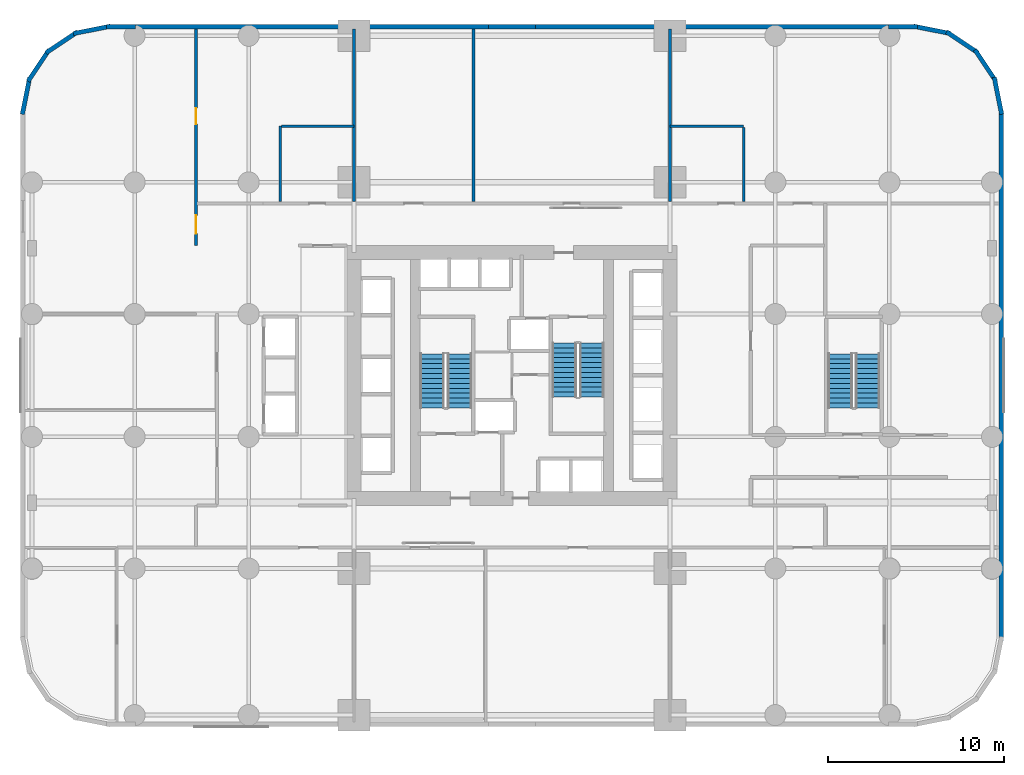
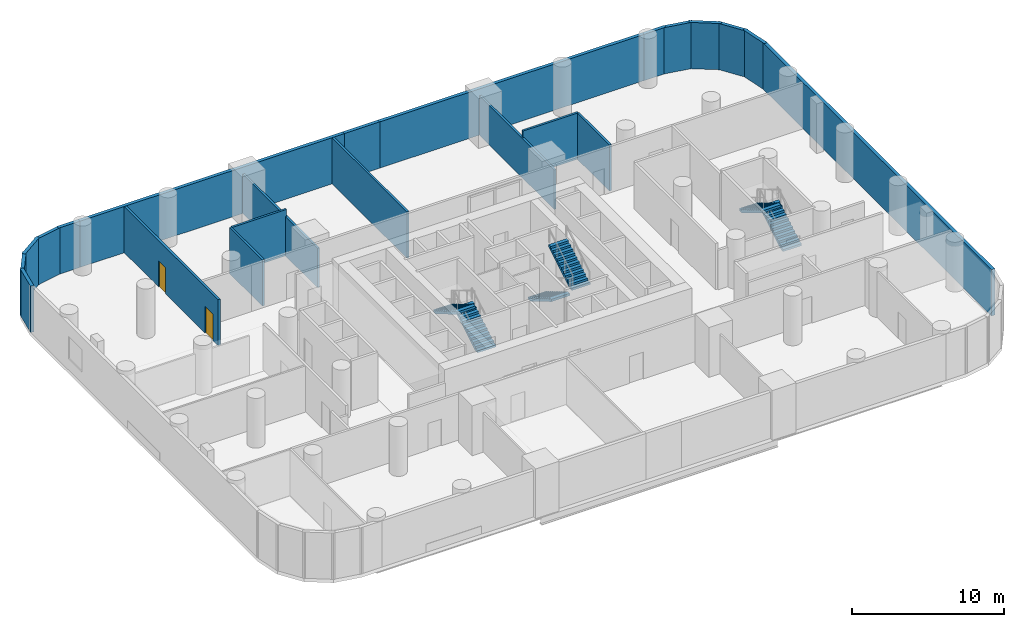
# One storey, part 9 of 12: 22 walls, 6 stair flights, 2 doors, 2 openings, 3 elements without a shape of their own.
"""IFC4 building model written with IfcOpenShell, lengths in metres."""

from ifc_helpers import new_model, si_unit, direction, frame, frame_2d, origin, place, context, subcontext, project, spatial, polyline, rectangle, outline, extrude, material, layer, layer_set, type_object, element, fill, aggregate, save


model = new_model("IFC4")

# Units and contexts
model_context = context("Model", 3, precision=1e-05, world=origin(), true_north=direction((0.0, 1.0)))
body_context = subcontext(model_context, "Body", "Model", "MODEL_VIEW")
ifc_project = project(units=[si_unit("LENGTHUNIT", "METRE"), si_unit("AREAUNIT", "SQUARE_METRE"), si_unit("VOLUMEUNIT", "CUBIC_METRE"), si_unit("PLANEANGLEUNIT", "RADIAN"), si_unit("MASSUNIT", "GRAM", prefix="KILO")], contexts=[model_context])

# Site, building, storey
site_placement = place(None, origin())
site = spatial("IfcSite", under=ifc_project, at=site_placement, CompositionType="ELEMENT")
building_placement = place(site_placement, origin())
building = spatial("IfcBuilding", under=site, at=building_placement, Name="Veldorim Arch Residences", CompositionType="ELEMENT")
storey_placement = place(building_placement, frame((0.0, 0.0, 12.0)))
storey = spatial("IfcBuildingStorey", under=building, at=storey_placement, Name="L03", CompositionType="ELEMENT", Elevation=12.0)

# Wall, openings, doors
ifc_material_1 = material(Name="Lightweight Masonry Block & Gypsum", Category="masonry")
ifc_layer_1 = layer(ifc_material_1, 0.179931640625, Name="Compartment & Corridor Fire-Rated Party Wall 180")
ifc_layer_set_1 = layer_set([ifc_layer_1], Name="Lightweight Masonry Block & Gypsum")
wall_type_1 = type_object("IfcWallType", Name="Compartment & Corridor Fire-Rated Party Wall 180", PredefinedType="PARTITIONING", material=ifc_layer_set_1)
wall_1_placement = place(storey_placement, frame((14.0, 31.39990234375, 0.0), z_axis=(0.0, 0.0, 1.0), x_axis=(0.0, 1.0, 0.0)))
wall_1 = element("IfcWall", 1, at=wall_1_placement, inside=storey, type_object=wall_type_1, Name="L03 interior wall WL-POD-L03-005", PredefinedType="PARTITIONING", context=body_context, shape_type="SweptSolid", body=[
    extrude(rectangle(XDim=12.35009765625, YDim=0.179931640625, at=frame_2d((6.175048828125, 0.0))), origin(), (0.0, 0.0, 1.0), 3.715087890625),
])
opening_1_placement = place(wall_1_placement, frame((0.675048828125, 0.0, 0.0)))
opening_1 = element("IfcOpeningElement", 2, at=opening_1_placement, cuts=wall_1, Name="Opening DR-CLN", PredefinedType="OPENING", context=body_context, shape_type="SweptSolid", body=[
    extrude(rectangle(XDim=1.050048828125, YDim=2.14990234375, at=frame_2d((0.52490234375, 1.074951171875))), frame((0.0, 0.099853515625, 0.0), z_axis=(0.0, -1.0, 0.0), x_axis=(1.0, 0.0, 0.0)), (0.0, 0.0, 1.0), 0.199951171875),
])
opening_2_placement = place(wall_1_placement, frame((6.925048828125, 0.0, 0.0)))
opening_2 = element("IfcOpeningElement", 3, at=opening_2_placement, cuts=wall_1, Name="Opening DR-SVC", PredefinedType="OPENING", context=body_context, shape_type="SweptSolid", body=[
    extrude(rectangle(XDim=0.89990234375, YDim=2.10009765625, at=frame_2d((0.449951171875, 1.050048828125))), frame((0.0, 0.099853515625, 0.0), z_axis=(0.0, -1.0, 0.0), x_axis=(1.0, 0.0, 0.0)), (0.0, 0.0, 1.0), 0.199951171875),
])
ifc_material_2 = material(Name="Timber & Vision Panel", Category="wood")
door_type_1 = type_object("IfcDoorType", Name="Polyclinic Wheelchair-Accessible Consultation Door 1050x2150", OperationType="SINGLE_SWING_LEFT", PredefinedType="DOOR", material=ifc_material_2)
door_1_placement = place(opening_1_placement, origin())
door_1 = element("IfcDoor", 4, at=door_1_placement, inside=storey, type_object=door_type_1, Name="L03 interior door DR-POD-L03-005", OperationType="SINGLE_SWING_LEFT", OverallHeight=2.14990234375, OverallWidth=1.050048828125, PredefinedType="DOOR", context=body_context, shape_type="SweptSolid", body=[
    extrude(rectangle(XDim=1.050048828125, YDim=2.14990234375, at=frame_2d((0.52490234375, 1.074951171875))), frame((0.0, 0.02490234375, 0.0), z_axis=(0.0, -1.0, 0.0), x_axis=(1.0, 0.0, 0.0)), (0.0, 0.0, 1.0), 0.050048828125),
])
fill(opening_1, door_1)
ifc_material_3 = material(Name="Fire-Rated Steel", Category="steel")
door_type_2 = type_object("IfcDoorType", Name="Riser, Shelter & Plant Room Rated Steel Door 900x2100", OperationType="SINGLE_SWING_LEFT", PredefinedType="DOOR", material=ifc_material_3)
door_2_placement = place(opening_2_placement, origin())
door_2 = element("IfcDoor", 5, at=door_2_placement, inside=storey, type_object=door_type_2, Name="L03 interior door DR-POD-L03-007", OperationType="SINGLE_SWING_LEFT", OverallHeight=2.10009765625, OverallWidth=0.89990234375, PredefinedType="DOOR", context=body_context, shape_type="SweptSolid", body=[
    extrude(rectangle(XDim=0.89990234375, YDim=2.10009765625, at=frame_2d((0.449951171875, 1.050048828125))), frame((0.0, 0.02490234375, 0.0), z_axis=(0.0, -1.0, 0.0), x_axis=(1.0, 0.0, 0.0)), (0.0, 0.0, 1.0), 0.050048828125),
])
fill(opening_2, door_2)

# Walls
ifc_material_4 = material(Name="Precast concrete C40/50", Category="concrete")
ifc_layer_2 = layer(ifc_material_4, 0.25, Name="Podium Terracotta Insulated Facade Wall 250")
ifc_layer_set_2 = layer_set([ifc_layer_2], Name="Precast concrete C40/50")
wall_type_2 = type_object("IfcWallType", Name="Podium Terracotta Insulated Facade Wall 250", PredefinedType="SOLIDWALL", material=ifc_layer_set_2)
wall_2_placement = place(storey_placement, frame((59.875, 39.10009765625, 0.0), z_axis=(0.0, 0.0, 1.0), x_axis=(0.0, -1.0, 0.0)))
element("IfcWall", 6, at=wall_2_placement, inside=storey, type_object=wall_type_2, Name="L03 podium terracotta facade wall 04", PredefinedType="SOLIDWALL", context=body_context, shape_type="SweptSolid", body=[
    extrude(rectangle(XDim=30.2001953125, YDim=0.25, at=frame_2d((15.10009765625, 0.0))), origin(), (0.0, 0.0, 1.0), 3.719970703125),
])
wall_3_placement = place(storey_placement, frame((59.477294921875, 40.987060546875, 0.0), z_axis=(0.0, 0.0, 1.0), x_axis=(0.195111965738, -0.980780974951, 0.0)))
element("IfcWall", 7, at=wall_3_placement, inside=storey, type_object=wall_type_2, Name="L03 podium terracotta facade wall 05", PredefinedType="SOLIDWALL", context=body_context, shape_type="SweptSolid", body=[
    extrude(rectangle(XDim=2.15087890625, YDim=0.25, at=frame_2d((1.075439453125, 0.0))), origin(), (0.0, 0.0, 1.0), 3.719970703125),
])
for number, where, z_axis, x_axis, name in (
    (8, (58.3759765625, 42.54931640625, 0.0), (0.0, 0.0, 1.0), (0.555564214653, -0.831473633615, 0.0), "L03 podium terracotta facade wall 06"),
    (9, (56.7607421875, 43.571044921875, 0.0), (0.0, 0.0, 1.0), (0.831473633615, -0.555564214653, 0.0), "L03 podium terracotta facade wall 07"),
):
    element("IfcWall", number, at=place(storey_placement, frame(where, z_axis=z_axis, x_axis=x_axis)), inside=storey, type_object=wall_type_2, Name=name, PredefinedType="SOLIDWALL", context=body_context, shape_type="SweptSolid", body=[
        extrude(rectangle(XDim=2.151123046875, YDim=0.25, at=frame_2d((1.07568359375, 0.0))), origin(), (0.0, 0.0, 1.0), 3.719970703125),
    ])
wall_4_placement = place(storey_placement, frame((54.87744140625, 43.89697265625, 0.0), z_axis=(0.0, 0.0, 1.0), x_axis=(0.980780974951, -0.195111965738, 0.0)))
element("IfcWall", 10, at=wall_4_placement, inside=storey, type_object=wall_type_2, Name="L03 podium terracotta facade wall 08", PredefinedType="SOLIDWALL", context=body_context, shape_type="SweptSolid", body=[
    extrude(rectangle(XDim=2.15087890625, YDim=0.25, at=frame_2d((1.075439453125, 0.0))), origin(), (0.0, 0.0, 1.0), 3.719970703125),
])
wall_5_placement = place(storey_placement, frame((8.89990234375, 43.875, 0.0), z_axis=(0.0, 0.0, 1.0), x_axis=(1.0, 0.0, 0.0)))
element("IfcWall", 11, at=wall_5_placement, inside=storey, type_object=wall_type_2, Name="L03 podium facade pier wall 09A", PredefinedType="SOLIDWALL", context=body_context, shape_type="SweptSolid", body=[
    extrude(rectangle(XDim=1.650146484375, YDim=0.25, at=frame_2d((0.8251953125, 0.0))), origin(), (0.0, 0.0, 1.0), 3.719970703125),
])
wall_6_placement = place(storey_placement, frame((30.64990234375, 43.875, 0.0), z_axis=(0.0, 0.0, 1.0), x_axis=(1.0, 0.0, 0.0)))
element("IfcWall", 12, at=wall_6_placement, inside=storey, type_object=wall_type_2, Name="L03 podium facade pier wall 09M", PredefinedType="SOLIDWALL", context=body_context, shape_type="SweptSolid", body=[
    extrude(rectangle(XDim=2.7001953125, YDim=0.25, at=frame_2d((1.35009765625, 0.0))), origin(), (0.0, 0.0, 1.0), 3.719970703125),
])
wall_7_placement = place(storey_placement, frame((53.449951171875, 43.875, 0.0), z_axis=(0.0, 0.0, 1.0), x_axis=(1.0, 0.0, 0.0)))
element("IfcWall", 13, at=wall_7_placement, inside=storey, type_object=wall_type_2, Name="L03 podium facade pier wall 09B", PredefinedType="SOLIDWALL", context=body_context, shape_type="SweptSolid", body=[
    extrude(rectangle(XDim=1.650146484375, YDim=0.25, at=frame_2d((0.8251953125, 0.0))), origin(), (0.0, 0.0, 1.0), 3.719970703125),
])
for number, where, z_axis, x_axis, name in (
    (14, (10.550048828125, 43.875, 0.0), (0.0, 0.0, 1.0), (1.0, 0.0, 0.0), "L03 podium facade wall 09C1"),
    (15, (33.35009765625, 43.875, 0.0), (0.0, 0.0, 1.0), (1.0, 0.0, 0.0), "L03 podium facade wall 09C2"),
):
    element("IfcWall", number, at=place(storey_placement, frame(where, z_axis=z_axis, x_axis=x_axis)), inside=storey, type_object=wall_type_2, Name=name, PredefinedType="SOLIDWALL", context=body_context, shape_type="SweptSolid", body=[
        extrude(rectangle(XDim=20.099853515625, YDim=0.25, at=frame_2d((10.0498046875, 0.0))), origin(), (0.0, 0.0, 1.0), 3.719970703125),
    ])
wall_8_placement = place(storey_placement, frame((7.012939453125, 43.477294921875, 0.0), z_axis=(0.0, 0.0, 1.0), x_axis=(0.980780974951, 0.195111965738, 0.0)))
element("IfcWall", 16, at=wall_8_placement, inside=storey, type_object=wall_type_2, Name="L03 podium terracotta facade wall 10", PredefinedType="SOLIDWALL", context=body_context, shape_type="SweptSolid", body=[
    extrude(rectangle(XDim=2.15087890625, YDim=0.25, at=frame_2d((1.075439453125, 0.0))), origin(), (0.0, 0.0, 1.0), 3.719970703125),
])
for number, where, z_axis, x_axis, name in (
    (17, (5.45068359375, 42.3759765625, 0.0), (0.0, 0.0, 1.0), (0.831473633615, 0.555564214653, 0.0), "L03 podium terracotta facade wall 11"),
    (18, (4.428955078125, 40.7607421875, 0.0), (0.0, 0.0, 1.0), (0.555564214653, 0.831473633615, 0.0), "L03 podium terracotta facade wall 12"),
):
    element("IfcWall", number, at=place(storey_placement, frame(where, z_axis=z_axis, x_axis=x_axis)), inside=storey, type_object=wall_type_2, Name=name, PredefinedType="SOLIDWALL", context=body_context, shape_type="SweptSolid", body=[
        extrude(rectangle(XDim=2.151123046875, YDim=0.25, at=frame_2d((1.07568359375, 0.0))), origin(), (0.0, 0.0, 1.0), 3.719970703125),
    ])
wall_9_placement = place(storey_placement, frame((4.10302734375, 38.87744140625, 0.0), z_axis=(0.0, 0.0, 1.0), x_axis=(0.195111965738, 0.980780974951, 0.0)))
element("IfcWall", 19, at=wall_9_placement, inside=storey, type_object=wall_type_2, Name="L03 podium terracotta facade wall 13", PredefinedType="SOLIDWALL", context=body_context, shape_type="SweptSolid", body=[
    extrude(rectangle(XDim=2.15087890625, YDim=0.25, at=frame_2d((1.075439453125, 0.0))), origin(), (0.0, 0.0, 1.0), 3.719970703125),
])
ifc_material_5 = material(Name="Moisture-Resistant Gypsum & Stud", Category="gypsum")
ifc_layer_3 = layer(ifc_material_5, 0.159912109375, Name="Wet-Area Moisture-Resistant Plumbing Wall 160")
ifc_layer_set_3 = layer_set([ifc_layer_3], Name="Moisture-Resistant Gypsum & Stud")
wall_type_3 = type_object("IfcWallType", Name="Wet-Area Moisture-Resistant Plumbing Wall 160", PredefinedType="PLUMBINGWALL", material=ifc_layer_set_3)
wall_10_placement = place(storey_placement, frame((18.800048828125, 33.89990234375, 0.0), z_axis=(0.0, 0.0, 1.0), x_axis=(0.0, 1.0, 0.0)))
element("IfcWall", 20, at=wall_10_placement, inside=storey, type_object=wall_type_3, Name="L03 interior wall WL-POD-L03-026", PredefinedType="PLUMBINGWALL", context=body_context, shape_type="SweptSolid", body=[
    extrude(rectangle(XDim=4.300048828125, YDim=0.159912109375, at=frame_2d((2.14990234375, 0.0))), origin(), (0.0, 0.0, 1.0), 3.715087890625),
])
wall_11_placement = place(storey_placement, frame((18.860107421875, 38.199951171875, 0.0), z_axis=(0.0, 0.0, 1.0), x_axis=(1.0, 0.0, 0.0)))
element("IfcWall", 21, at=wall_11_placement, inside=storey, type_object=wall_type_3, Name="L03 interior wall WL-POD-L03-027", PredefinedType="PLUMBINGWALL", context=body_context, shape_type="SweptSolid", body=[
    extrude(rectangle(XDim=4.139892578125, YDim=0.159912109375, at=frame_2d((2.06982421875, 0.0))), origin(), (0.0, 0.0, 1.0), 3.715087890625),
])
wall_12_placement = place(storey_placement, frame((23.0, 43.75, 0.0), z_axis=(0.0, 0.0, 1.0), x_axis=(0.0, -1.0, 0.0)))
element("IfcWall", 22, at=wall_12_placement, inside=storey, type_object=wall_type_3, Name="L03 interior wall WL-POD-L03-028", PredefinedType="PLUMBINGWALL", context=body_context, shape_type="SweptSolid", body=[
    extrude(rectangle(XDim=9.85009765625, YDim=0.159912109375, at=frame_2d((4.925048828125, 0.0))), origin(), (0.0, 0.0, 1.0), 3.17138671875),
])
wall_13_placement = place(storey_placement, frame((41.0, 38.199951171875, 0.0), z_axis=(0.0, 0.0, 1.0), x_axis=(1.0, 0.0, 0.0)))
element("IfcWall", 23, at=wall_13_placement, inside=storey, type_object=wall_type_3, Name="L03 interior wall WL-POD-L03-031", PredefinedType="PLUMBINGWALL", context=body_context, shape_type="SweptSolid", body=[
    extrude(rectangle(XDim=4.199951171875, YDim=0.159912109375, at=frame_2d((2.10009765625, 0.0))), origin(), (0.0, 0.0, 1.0), 3.715087890625),
])
wall_14_placement = place(storey_placement, frame((45.199951171875, 38.139892578125, 0.0), z_axis=(0.0, 0.0, 1.0), x_axis=(0.0, -1.0, 0.0)))
element("IfcWall", 24, at=wall_14_placement, inside=storey, type_object=wall_type_3, Name="L03 interior wall WL-POD-L03-032", PredefinedType="PLUMBINGWALL", context=body_context, shape_type="SweptSolid", body=[
    extrude(rectangle(XDim=4.239990234375, YDim=0.159912109375, at=frame_2d((2.1201171875, 0.0))), origin(), (0.0, 0.0, 1.0), 3.715087890625),
])
wall_15_placement = place(storey_placement, frame((41.0, 33.89990234375, 0.0), z_axis=(0.0, 0.0, 1.0), x_axis=(0.0, 1.0, 0.0)))
element("IfcWall", 25, at=wall_15_placement, inside=storey, type_object=wall_type_3, Name="L03 interior wall WL-POD-L03-033", PredefinedType="PLUMBINGWALL", context=body_context, shape_type="SweptSolid", body=[
    extrude(rectangle(XDim=9.85009765625, YDim=0.159912109375, at=frame_2d((4.925048828125, 0.0))), origin(), (0.0, 0.0, 1.0), 3.17138671875),
])
wall_16_placement = place(storey_placement, frame((29.800048828125, 43.75, 0.0), z_axis=(0.0, 0.0, 1.0), x_axis=(0.0, -1.0, 0.0)))
element("IfcWall", 26, at=wall_16_placement, inside=storey, type_object=wall_type_3, Name="L03 interior wall WL-POD-L03-035", PredefinedType="PLUMBINGWALL", context=body_context, shape_type="SweptSolid", body=[
    extrude(rectangle(XDim=9.85009765625, YDim=0.159912109375, at=frame_2d((4.925048828125, 0.0))), origin(), (0.0, 0.0, 1.0), 3.715087890625),
])

# Stair, stair flights
ifc_material_6 = material(Name="Concrete C40/50", Category="concrete")
stair_type = type_object("IfcStairType", Name="Reinforced Concrete Dogleg Exit Staircase", PredefinedType="HALF_TURN_STAIR", material=ifc_material_6)
stair_1_placement = place(storey_placement, origin())
stair_1 = element("IfcStair", 27, at=stair_1_placement, inside=storey, type_object=stair_type, Name="L03 Exit Staircase ST-1", PredefinedType="HALF_TURN_STAIR")
ifc_material_7 = material(Name="Concrete C40/50", Category="concrete")
stair_flight_type = type_object("IfcStairFlightType", Name="Reinforced Concrete Stair Flight 1400", PredefinedType="STRAIGHT", material=ifc_material_7)
stair_flight_1_placement = place(storey_placement, frame((29.010009765625, 22.14990234375, 0.0), z_axis=(0.0, 0.0, 1.0), x_axis=(0.0, 1.0, 0.0)))
stair_flight_1 = element("IfcStairFlight", 28, at=stair_flight_1_placement, type_object=stair_flight_type, Name="ST-1 flight 1", NumberOfRisers=12, NumberOfTreads=11, PredefinedType="STRAIGHT", RiserHeight=0.166666667, TreadLength=0.28, context=body_context, shape_type="SweptSolid", body=[
    extrude(outline(polyline([(0.0, 0.0), (0.0, 0.166748046875), (0.280029296875, 0.166748046875), (0.280029296875, 0.333251953125), (0.56005859375, 0.333251953125), (0.56005859375, 0.5), (0.840087890625, 0.5), (0.840087890625, 0.666748046875), (1.1201171875, 0.666748046875), (1.1201171875, 0.833251953125), (1.39990234375, 0.833251953125), (1.39990234375, 1.0), (1.679931640625, 1.0), (1.679931640625, 1.166748046875), (1.9599609375, 1.166748046875), (1.9599609375, 1.333251953125), (2.239990234375, 1.333251953125), (2.239990234375, 1.5), (2.52001953125, 1.5), (2.52001953125, 1.666748046875), (2.800048828125, 1.666748046875), (2.800048828125, 1.833251953125), (3.080078125, 1.833251953125), (3.080078125, 2.0), (3.080078125, 1.647216796875), (0.312744140625, 0.0), (0.0, 0.0)])), frame((0.0, 0.699951171875, 0.0), z_axis=(0.0, -1.0, 0.0), x_axis=(1.0, 0.0, 0.0)), (0.0, 0.0, 1.0), 1.39990234375),
])
stair_flight_2_placement = place(storey_placement, frame((27.449951171875, 25.22998046875, 2.0), z_axis=(0.0, 0.0, 1.0), x_axis=(0.0, -1.0, 0.0)))
stair_flight_2 = element("IfcStairFlight", 29, at=stair_flight_2_placement, type_object=stair_flight_type, Name="ST-1 flight 2", NumberOfRisers=12, NumberOfTreads=11, PredefinedType="STRAIGHT", RiserHeight=0.166666667, TreadLength=0.28, context=body_context, shape_type="SweptSolid", body=[
    extrude(outline(polyline([(0.0, 0.0), (0.0, 0.166748046875), (0.280029296875, 0.166748046875), (0.280029296875, 0.333251953125), (0.56005859375, 0.333251953125), (0.56005859375, 0.5), (0.840087890625, 0.5), (0.840087890625, 0.666748046875), (1.1201171875, 0.666748046875), (1.1201171875, 0.833251953125), (1.39990234375, 0.833251953125), (1.39990234375, 1.0), (1.679931640625, 1.0), (1.679931640625, 1.166748046875), (1.9599609375, 1.166748046875), (1.9599609375, 1.333251953125), (2.239990234375, 1.333251953125), (2.239990234375, 1.5), (2.52001953125, 1.5), (2.52001953125, 1.666748046875), (2.800048828125, 1.666748046875), (2.800048828125, 1.833251953125), (3.080078125, 1.833251953125), (3.080078125, 2.0), (3.080078125, 1.647216796875), (0.312744140625, 0.0), (0.0, 0.0)])), frame((0.0, 0.699951171875, 0.0), z_axis=(0.0, -1.0, 0.0), x_axis=(1.0, 0.0, 0.0)), (0.0, 0.0, 1.0), 1.39990234375),
])
aggregate(stair_1, [stair_flight_1, stair_flight_2])

stair_2_placement = place(storey_placement, origin())
stair_2 = element("IfcStair", 30, at=stair_2_placement, inside=storey, type_object=stair_type, Name="L03 Exit Staircase ST-2", PredefinedType="HALF_TURN_STAIR")
stair_flight_3_placement = place(storey_placement, frame((34.989990234375, 25.85009765625, 0.0), z_axis=(0.0, 0.0, 1.0), x_axis=(0.0, -1.0, 0.0)))
stair_flight_3 = element("IfcStairFlight", 31, at=stair_flight_3_placement, type_object=stair_flight_type, Name="ST-2 flight 1", NumberOfRisers=12, NumberOfTreads=11, PredefinedType="STRAIGHT", RiserHeight=0.166666667, TreadLength=0.28, context=body_context, shape_type="SweptSolid", body=[
    extrude(outline(polyline([(0.0, 0.0), (0.0, 0.166748046875), (0.280029296875, 0.166748046875), (0.280029296875, 0.333251953125), (0.56005859375, 0.333251953125), (0.56005859375, 0.5), (0.840087890625, 0.5), (0.840087890625, 0.666748046875), (1.1201171875, 0.666748046875), (1.1201171875, 0.833251953125), (1.39990234375, 0.833251953125), (1.39990234375, 1.0), (1.679931640625, 1.0), (1.679931640625, 1.166748046875), (1.9599609375, 1.166748046875), (1.9599609375, 1.333251953125), (2.239990234375, 1.333251953125), (2.239990234375, 1.5), (2.52001953125, 1.5), (2.52001953125, 1.666748046875), (2.800048828125, 1.666748046875), (2.800048828125, 1.833251953125), (3.080078125, 1.833251953125), (3.080078125, 2.0), (3.080078125, 1.647216796875), (0.312744140625, 0.0), (0.0, 0.0)])), frame((0.0, 0.699951171875, 0.0), z_axis=(0.0, -1.0, 0.0), x_axis=(1.0, 0.0, 0.0)), (0.0, 0.0, 1.0), 1.39990234375),
])
stair_flight_4_placement = place(storey_placement, frame((36.550048828125, 22.77001953125, 2.0), z_axis=(0.0, 0.0, 1.0), x_axis=(0.0, 1.0, 0.0)))
stair_flight_4 = element("IfcStairFlight", 32, at=stair_flight_4_placement, type_object=stair_flight_type, Name="ST-2 flight 2", NumberOfRisers=12, NumberOfTreads=11, PredefinedType="STRAIGHT", RiserHeight=0.166666667, TreadLength=0.28, context=body_context, shape_type="SweptSolid", body=[
    extrude(outline(polyline([(0.0, 0.0), (0.0, 0.166748046875), (0.280029296875, 0.166748046875), (0.280029296875, 0.333251953125), (0.56005859375, 0.333251953125), (0.56005859375, 0.5), (0.840087890625, 0.5), (0.840087890625, 0.666748046875), (1.1201171875, 0.666748046875), (1.1201171875, 0.833251953125), (1.39990234375, 0.833251953125), (1.39990234375, 1.0), (1.679931640625, 1.0), (1.679931640625, 1.166748046875), (1.9599609375, 1.166748046875), (1.9599609375, 1.333251953125), (2.239990234375, 1.333251953125), (2.239990234375, 1.5), (2.52001953125, 1.5), (2.52001953125, 1.666748046875), (2.800048828125, 1.666748046875), (2.800048828125, 1.833251953125), (3.080078125, 1.833251953125), (3.080078125, 2.0), (3.080078125, 1.647216796875), (0.312744140625, 0.0), (0.0, 0.0)])), frame((0.0, 0.699951171875, 0.0), z_axis=(0.0, -1.0, 0.0), x_axis=(1.0, 0.0, 0.0)), (0.0, 0.0, 1.0), 1.39990234375),
])
aggregate(stair_2, [stair_flight_3, stair_flight_4])

stair_3_placement = place(storey_placement, origin())
stair_3 = element("IfcStair", 33, at=stair_3_placement, inside=storey, type_object=stair_type, Name="L03 Exit Staircase ST-3", PredefinedType="HALF_TURN_STAIR")
stair_flight_5_placement = place(storey_placement, frame((52.260009765625, 22.14990234375, 0.0), z_axis=(0.0, 0.0, 1.0), x_axis=(0.0, 1.0, 0.0)))
stair_flight_5 = element("IfcStairFlight", 34, at=stair_flight_5_placement, type_object=stair_flight_type, Name="ST-3 flight 1", NumberOfRisers=12, NumberOfTreads=11, PredefinedType="STRAIGHT", RiserHeight=0.166666667, TreadLength=0.28, context=body_context, shape_type="SweptSolid", body=[
    extrude(outline(polyline([(0.0, 0.0), (0.0, 0.166748046875), (0.280029296875, 0.166748046875), (0.280029296875, 0.333251953125), (0.56005859375, 0.333251953125), (0.56005859375, 0.5), (0.840087890625, 0.5), (0.840087890625, 0.666748046875), (1.1201171875, 0.666748046875), (1.1201171875, 0.833251953125), (1.39990234375, 0.833251953125), (1.39990234375, 1.0), (1.679931640625, 1.0), (1.679931640625, 1.166748046875), (1.9599609375, 1.166748046875), (1.9599609375, 1.333251953125), (2.239990234375, 1.333251953125), (2.239990234375, 1.5), (2.52001953125, 1.5), (2.52001953125, 1.666748046875), (2.800048828125, 1.666748046875), (2.800048828125, 1.833251953125), (3.080078125, 1.833251953125), (3.080078125, 2.0), (3.080078125, 1.647216796875), (0.312744140625, 0.0), (0.0, 0.0)])), frame((0.0, 0.699951171875, 0.0), z_axis=(0.0, -1.0, 0.0), x_axis=(1.0, 0.0, 0.0)), (0.0, 0.0, 1.0), 1.39990234375),
])
stair_flight_6_placement = place(storey_placement, frame((50.699951171875, 25.22998046875, 2.0), z_axis=(0.0, 0.0, 1.0), x_axis=(0.0, -1.0, 0.0)))
stair_flight_6 = element("IfcStairFlight", 35, at=stair_flight_6_placement, type_object=stair_flight_type, Name="ST-3 flight 2", NumberOfRisers=12, NumberOfTreads=11, PredefinedType="STRAIGHT", RiserHeight=0.166666667, TreadLength=0.28, context=body_context, shape_type="SweptSolid", body=[
    extrude(outline(polyline([(0.0, 0.0), (0.0, 0.166748046875), (0.280029296875, 0.166748046875), (0.280029296875, 0.333251953125), (0.56005859375, 0.333251953125), (0.56005859375, 0.5), (0.840087890625, 0.5), (0.840087890625, 0.666748046875), (1.1201171875, 0.666748046875), (1.1201171875, 0.833251953125), (1.39990234375, 0.833251953125), (1.39990234375, 1.0), (1.679931640625, 1.0), (1.679931640625, 1.166748046875), (1.9599609375, 1.166748046875), (1.9599609375, 1.333251953125), (2.239990234375, 1.333251953125), (2.239990234375, 1.5), (2.52001953125, 1.5), (2.52001953125, 1.666748046875), (2.800048828125, 1.666748046875), (2.800048828125, 1.833251953125), (3.080078125, 1.833251953125), (3.080078125, 2.0), (3.080078125, 1.647216796875), (0.312744140625, 0.0), (0.0, 0.0)])), frame((0.0, 0.699951171875, 0.0), z_axis=(0.0, -1.0, 0.0), x_axis=(1.0, 0.0, 0.0)), (0.0, 0.0, 1.0), 1.39990234375),
])
aggregate(stair_3, [stair_flight_5, stair_flight_6])

save(model, "model.ifc")
